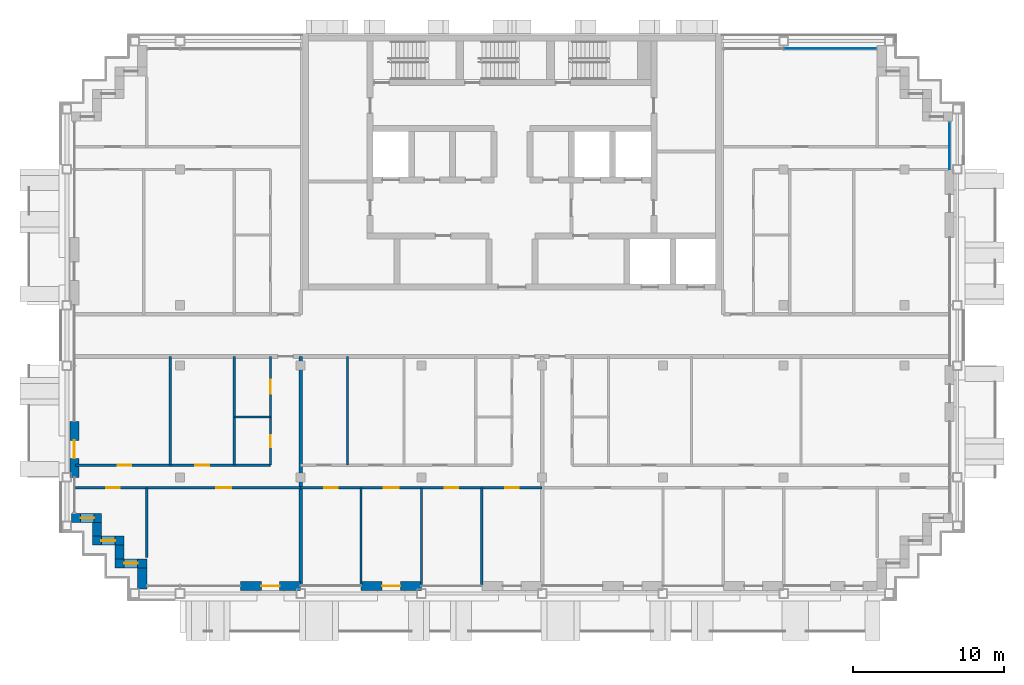
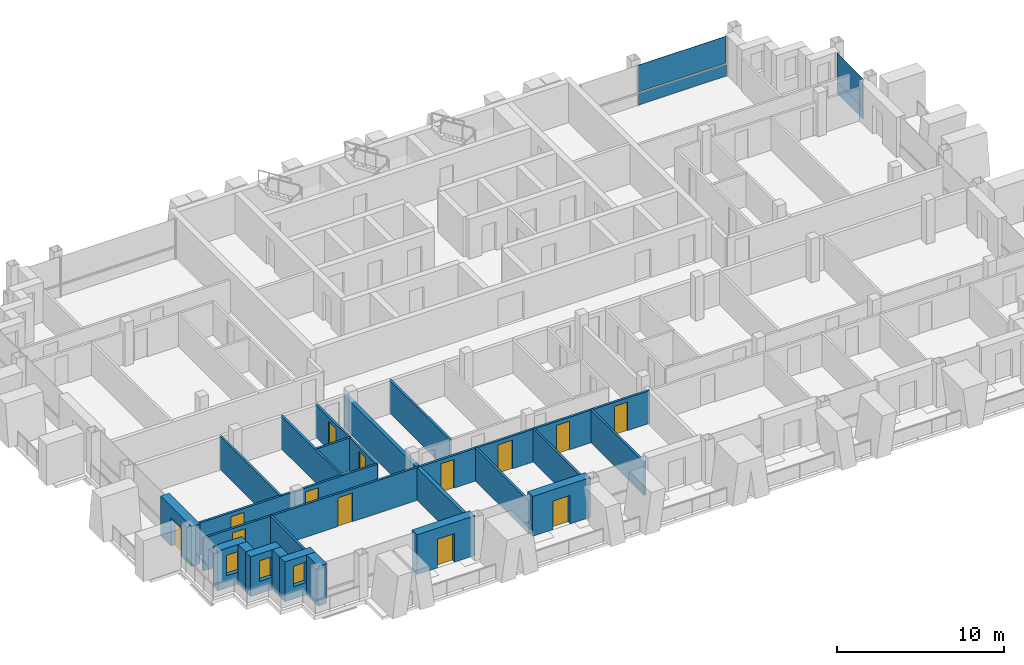
# One storey, part 7 of 15: 22 walls, 13 doors, 4 plates, 3 windows, 16 openings, 2 elements without a shape of their own.
"""IFC4 building model written with IfcOpenShell, lengths in metres."""

from ifc_helpers import new_model, si_unit, direction, frame, frame_2d, origin, origin_2d, place, context, subcontext, project, spatial, rectangle, extrude, material, layer, layer_set, type_object, element, fill, aggregate, save


model = new_model("IFC4")

# Units and contexts
model_context = context("Model", 3, precision=1e-05, world=origin(), true_north=direction((0.0, 1.0)))
body_context = subcontext(model_context, "Body", "Model", "MODEL_VIEW")
ifc_project = project(units=[si_unit("LENGTHUNIT", "METRE"), si_unit("AREAUNIT", "SQUARE_METRE"), si_unit("VOLUMEUNIT", "CUBIC_METRE"), si_unit("PLANEANGLEUNIT", "RADIAN"), si_unit("MASSUNIT", "GRAM", prefix="KILO")], contexts=[model_context])

# Site, building, storey
site_placement = place(None, origin())
site = spatial("IfcSite", under=ifc_project, at=site_placement, CompositionType="ELEMENT")
building_placement = place(site_placement, origin())
building = spatial("IfcBuilding", under=site, at=building_placement, Name="Vidyagriha Tower", CompositionType="ELEMENT")
storey_placement = place(building_placement, frame((0.0, 0.0, 233.199951171875)))
storey = spatial("IfcBuildingStorey", under=building, at=storey_placement, Name="L61", CompositionType="ELEMENT", Elevation=233.199951171875)

# Curtain wall, plate
ifc_material_1 = material(Name="Aluminium and glass curtain wall", Category="aluminium")
curtain_wall_type = type_object("IfcCurtainWallType", Name="Dwelling skin unitised curtain wall", PredefinedType="USERDEFINED", material=ifc_material_1)
curtain_wall_1_placement = place(storey_placement, origin())
curtain_wall_1 = element("IfcCurtainWall", 1, at=curtain_wall_1_placement, inside=storey, type_object=curtain_wall_type, Name="CW1 dwelling skin", ObjectType="UNITISED", PredefinedType="USERDEFINED")
ifc_material_2 = material(Name="Glass dark ceramic-fritted spandrel", Category="glass")
ifc_layer_1 = layer(ifc_material_2, 0.0400390625)
ifc_layer_set_1 = layer_set([ifc_layer_1], Name="Glass dark ceramic-fritted spandrel")
plate_type_1 = type_object("IfcPlateType", Name="Ceramic-fritted spandrel panel", PredefinedType="CURTAIN_PANEL", material=ifc_layer_set_1)
plate_1_placement = place(storey_placement, frame((21.08251953125, 19.0, 0.0), z_axis=(0.0, 0.0, 1.0), x_axis=(-1.0, 0.0, 0.0)))
plate_1 = element("IfcPlate", 2, at=plate_1_placement, type_object=plate_type_1, Name="CW1 panel 1.1", PredefinedType="CURTAIN_PANEL", context=body_context, shape_type="SweptSolid", body=[
    extrude(rectangle(XDim=6.094970703125, YDim=0.0400390625, at=origin_2d()), origin(), (0.0, 0.0, 1.0), 0.85009765625),
])

curtain_wall_2_placement = place(storey_placement, origin())
curtain_wall_2 = element("IfcCurtainWall", 3, at=curtain_wall_2_placement, inside=storey, type_object=curtain_wall_type, Name="CW1 dwelling skin", ObjectType="UNITISED", PredefinedType="USERDEFINED")
plate_2_placement = place(storey_placement, frame((29.0, 12.56494140625, 0.0), z_axis=(0.0, 0.0, 1.0), x_axis=(0.0, 1.0, 0.0)))
plate_2 = element("IfcPlate", 4, at=plate_2_placement, type_object=plate_type_1, Name="CW1 panel 1.1", PredefinedType="CURTAIN_PANEL", context=body_context, shape_type="SweptSolid", body=[
    extrude(rectangle(XDim=3.1298828125, YDim=0.0400390625, at=origin_2d()), origin(), (0.0, 0.0, 1.0), 0.85009765625),
])

# Plate
ifc_material_3 = material(Name="Glass dark ceramic-fritted", Category="glass")
ifc_layer_2 = layer(ifc_material_3, 0.028076171875)
ifc_layer_set_2 = layer_set([ifc_layer_2], Name="Glass dark ceramic-fritted")
plate_type_2 = type_object("IfcPlateType", Name="Dark ceramic-fritted vision glass panel", PredefinedType="CURTAIN_PANEL", material=ifc_layer_set_2)
plate_3_placement = place(storey_placement, frame((21.08251953125, 19.0, 0.9501953125), z_axis=(0.0, 0.0, 1.0), x_axis=(-1.0, 0.0, 0.0)))
plate_3 = element("IfcPlate", 5, at=plate_3_placement, type_object=plate_type_2, Name="CW1 panel 1.2", PredefinedType="CURTAIN_PANEL", context=body_context, shape_type="SweptSolid", body=[
    extrude(rectangle(XDim=6.094970703125, YDim=0.028076171875, at=origin_2d()), origin(), (0.0, 0.0, 1.0), 1.969970703125),
])

aggregate(curtain_wall_1, [plate_1, plate_3])

plate_4_placement = place(storey_placement, frame((29.0, 12.56494140625, 0.9501953125), z_axis=(0.0, 0.0, 1.0), x_axis=(0.0, 1.0, 0.0)))
plate_4 = element("IfcPlate", 6, at=plate_4_placement, type_object=plate_type_2, Name="CW1 panel 1.2", PredefinedType="CURTAIN_PANEL", context=body_context, shape_type="SweptSolid", body=[
    extrude(rectangle(XDim=3.1298828125, YDim=0.028076171875, at=origin_2d()), origin(), (0.0, 0.0, 1.0), 1.969970703125),
])

aggregate(curtain_wall_2, [plate_2, plate_4])

# Wall, opening, door
ifc_material_4 = material(Name="Precast concrete C40/50 with brick facing", Category="concrete")
ifc_layer_3 = layer(ifc_material_4, 0.60009765625)
ifc_layer_set_3 = layer_set([ifc_layer_3], Name="Precast concrete C40/50 with brick facing")
wall_type_1 = type_object("IfcWallType", Name="Brick-faced precast wall 600", PredefinedType="STANDARD", material=ifc_layer_set_3)
wall_1_placement = place(storey_placement, frame((-29.0, -5.699951171875, 0.0), z_axis=(0.0, 0.0, 1.0), x_axis=(0.0, -1.0, 0.0)))
wall_1 = element("IfcWall", 7, at=wall_1_placement, inside=storey, type_object=wall_type_1, Name="Brick door bay wall L61 R16.6", PredefinedType="STANDARD", context=body_context, shape_type="SweptSolid", body=[
    extrude(rectangle(XDim=3.699951171875, YDim=0.60009765625, at=frame_2d((1.85009765625, 0.0))), origin(), (0.0, 0.0, 1.0), 2.920166015625),
])
opening_1_placement = place(wall_1_placement, frame((1.25, 0.0, 0.0)))
opening_1 = element("IfcOpeningElement", 8, at=opening_1_placement, cuts=wall_1, Name="Opening D61-58", PredefinedType="OPENING", context=body_context, shape_type="SweptSolid", body=[
    extrude(rectangle(XDim=1.199951171875, YDim=2.10009765625, at=frame_2d((0.60009765625, 1.050048828125))), frame((0.0, 0.31005859375, 0.0), z_axis=(0.0, -1.0, 0.0), x_axis=(1.0, 0.0, 0.0)), (0.0, 0.0, 1.0), 0.6201171875),
])
ifc_material_5 = material(Name="Aluminium framed glazed sliding door", Category="aluminium")
door_type_1 = type_object("IfcDoorType", Name="Balcony sliding door 1200x2100", OperationType="NOTDEFINED", PredefinedType="DOOR", material=ifc_material_5)
door_1_placement = place(opening_1_placement, origin())
door_1 = element("IfcDoor", 9, at=door_1_placement, inside=storey, type_object=door_type_1, Name="Door D61-58", OperationType="SLIDING_TO_LEFT", OverallHeight=2.10009765625, OverallWidth=1.199951171875, PredefinedType="DOOR", context=body_context, shape_type="SweptSolid", body=[
    extrude(rectangle(XDim=1.199951171875, YDim=2.10009765625, at=frame_2d((0.60009765625, 1.050048828125))), frame((0.0, 0.02490234375, 0.0), z_axis=(0.0, -1.0, 0.0), x_axis=(1.0, 0.0, 0.0)), (0.0, 0.0, 1.0), 0.050048828125),
])
fill(opening_1, door_1)

# Wall, opening, window
wall_2_placement = place(storey_placement, frame((-29.199951171875, -12.10009765625, 0.0)))
wall_2 = element("IfcWall", 10, at=wall_2_placement, inside=storey, type_object=wall_type_1, Name="Stepped corner wall L61 R17", PredefinedType="STANDARD", context=body_context, shape_type="SweptSolid", body=[
    extrude(rectangle(XDim=2.0, YDim=0.60009765625, at=frame_2d((1.0, 0.0))), origin(), (0.0, 0.0, 1.0), 2.920166015625),
])
opening_2_placement = place(wall_2_placement, frame((0.610107421875, 0.0, 0.89990234375)))
opening_2 = element("IfcOpeningElement", 11, at=opening_2_placement, cuts=wall_2, Name="Opening WN1", PredefinedType="OPENING", context=body_context, shape_type="SweptSolid", body=[
    extrude(rectangle(XDim=0.89990234375, YDim=1.5, at=frame_2d((0.449951171875, 0.75))), frame((0.0, 0.31005859375, 0.0), z_axis=(0.0, -1.0, 0.0), x_axis=(1.0, 0.0, 0.0)), (0.0, 0.0, 1.0), 0.6201171875),
])
ifc_material_6 = material(Name="Aluminium and glass window", Category="aluminium")
window_type = type_object("IfcWindowType", Name="Reveal window 900x1500", PartitioningType="NOTDEFINED", PredefinedType="WINDOW", material=ifc_material_6)
window_1_placement = place(opening_2_placement, origin())
window_1 = element("IfcWindow", 12, at=window_1_placement, inside=storey, type_object=window_type, Name="Reveal window L61 R17", OverallHeight=1.5, OverallWidth=0.89990234375, PartitioningType="SINGLE_PANEL", PredefinedType="WINDOW", context=body_context, shape_type="SweptSolid", body=[
    extrude(rectangle(XDim=0.89990234375, YDim=1.5, at=frame_2d((0.449951171875, 0.75))), frame((0.0, 0.030029296875, 0.0), z_axis=(0.0, -1.0, 0.0), x_axis=(1.0, 0.0, 0.0)), (0.0, 0.0, 1.0), 0.06005859375),
])
fill(opening_2, window_1)

# Wall
wall_3_placement = place(storey_placement, frame((-27.5, -12.39990234375, 0.0), z_axis=(0.0, 0.0, 1.0), x_axis=(0.0, -1.0, 0.0)))
element("IfcWall", 13, at=wall_3_placement, inside=storey, type_object=wall_type_1, Name="Stepped corner wall L61 R18", PredefinedType="STANDARD", context=body_context, shape_type="SweptSolid", body=[
    extrude(rectangle(XDim=0.900146484375, YDim=0.60009765625, at=frame_2d((0.4501953125, 0.0))), origin(), (0.0, 0.0, 1.0), 2.920166015625),
])

# Wall, opening, window
wall_4_placement = place(storey_placement, frame((-27.800048828125, -13.60009765625, 0.0)))
wall_4 = element("IfcWall", 14, at=wall_4_placement, inside=storey, type_object=wall_type_1, Name="Stepped corner wall L61 R19", PredefinedType="STANDARD", context=body_context, shape_type="SweptSolid", body=[
    extrude(rectangle(XDim=2.10009765625, YDim=0.60009765625, at=frame_2d((1.050048828125, 0.0))), origin(), (0.0, 0.0, 1.0), 2.920166015625),
])
opening_3_placement = place(wall_4_placement, frame((0.60009765625, 0.0, 0.89990234375)))
opening_3 = element("IfcOpeningElement", 15, at=opening_3_placement, cuts=wall_4, Name="Opening WN1", PredefinedType="OPENING", context=body_context, shape_type="SweptSolid", body=[
    extrude(rectangle(XDim=0.89990234375, YDim=1.5, at=frame_2d((0.449951171875, 0.75))), frame((0.0, 0.31005859375, 0.0), z_axis=(0.0, -1.0, 0.0), x_axis=(1.0, 0.0, 0.0)), (0.0, 0.0, 1.0), 0.6201171875),
])
window_2_placement = place(opening_3_placement, origin())
window_2 = element("IfcWindow", 16, at=window_2_placement, inside=storey, type_object=window_type, Name="Reveal window L61 R19", OverallHeight=1.5, OverallWidth=0.89990234375, PartitioningType="SINGLE_PANEL", PredefinedType="WINDOW", context=body_context, shape_type="SweptSolid", body=[
    extrude(rectangle(XDim=0.89990234375, YDim=1.5, at=frame_2d((0.449951171875, 0.75))), frame((0.0, 0.030029296875, 0.0), z_axis=(0.0, -1.0, 0.0), x_axis=(1.0, 0.0, 0.0)), (0.0, 0.0, 1.0), 0.06005859375),
])
fill(opening_3, window_2)

# Wall
wall_5_placement = place(storey_placement, frame((-26.0, -13.89990234375, 0.0), z_axis=(0.0, 0.0, 1.0), x_axis=(0.0, -1.0, 0.0)))
element("IfcWall", 17, at=wall_5_placement, inside=storey, type_object=wall_type_1, Name="Stepped corner wall L61 R20", PredefinedType="STANDARD", context=body_context, shape_type="SweptSolid", body=[
    extrude(rectangle(XDim=0.900146484375, YDim=0.60009765625, at=frame_2d((0.4501953125, 0.0))), origin(), (0.0, 0.0, 1.0), 2.920166015625),
])

# Wall, opening, window
wall_6_placement = place(storey_placement, frame((-26.300048828125, -15.10009765625, 0.0)))
wall_6 = element("IfcWall", 18, at=wall_6_placement, inside=storey, type_object=wall_type_1, Name="Stepped corner wall L61 R21", PredefinedType="STANDARD", context=body_context, shape_type="SweptSolid", body=[
    extrude(rectangle(XDim=2.10009765625, YDim=0.60009765625, at=frame_2d((1.050048828125, 0.0))), origin(), (0.0, 0.0, 1.0), 2.920166015625),
])
opening_4_placement = place(wall_6_placement, frame((0.60009765625, 0.0, 0.89990234375)))
opening_4 = element("IfcOpeningElement", 19, at=opening_4_placement, cuts=wall_6, Name="Opening WN1", PredefinedType="OPENING", context=body_context, shape_type="SweptSolid", body=[
    extrude(rectangle(XDim=0.89990234375, YDim=1.5, at=frame_2d((0.449951171875, 0.75))), frame((0.0, 0.31005859375, 0.0), z_axis=(0.0, -1.0, 0.0), x_axis=(1.0, 0.0, 0.0)), (0.0, 0.0, 1.0), 0.6201171875),
])
window_3_placement = place(opening_4_placement, origin())
window_3 = element("IfcWindow", 20, at=window_3_placement, inside=storey, type_object=window_type, Name="Reveal window L61 R21", OverallHeight=1.5, OverallWidth=0.89990234375, PartitioningType="SINGLE_PANEL", PredefinedType="WINDOW", context=body_context, shape_type="SweptSolid", body=[
    extrude(rectangle(XDim=0.89990234375, YDim=1.5, at=frame_2d((0.449951171875, 0.75))), frame((0.0, 0.030029296875, 0.0), z_axis=(0.0, -1.0, 0.0), x_axis=(1.0, 0.0, 0.0)), (0.0, 0.0, 1.0), 0.06005859375),
])
fill(opening_4, window_3)

# Wall
wall_7_placement = place(storey_placement, frame((-24.5, -15.39990234375, 0.0), z_axis=(0.0, 0.0, 1.0), x_axis=(0.0, -1.0, 0.0)))
element("IfcWall", 21, at=wall_7_placement, inside=storey, type_object=wall_type_1, Name="Stepped corner wall L61 R22", PredefinedType="STANDARD", context=body_context, shape_type="SweptSolid", body=[
    extrude(rectangle(XDim=1.400146484375, YDim=0.60009765625, at=frame_2d((0.7001953125, 0.0))), origin(), (0.0, 0.0, 1.0), 2.920166015625),
])

# Wall, opening, door
wall_8_placement = place(storey_placement, frame((-18.0, -16.60009765625, 0.0)))
wall_8 = element("IfcWall", 22, at=wall_8_placement, inside=storey, type_object=wall_type_1, Name="Brick door bay wall L61 R23.3", PredefinedType="STANDARD", context=body_context, shape_type="SweptSolid", body=[
    extrude(rectangle(XDim=4.0, YDim=0.60009765625, at=frame_2d((2.0, 0.0))), origin(), (0.0, 0.0, 1.0), 2.920166015625),
])
opening_5_placement = place(wall_8_placement, frame((1.39990234375, 0.0, 0.0)))
opening_5 = element("IfcOpeningElement", 23, at=opening_5_placement, cuts=wall_8, Name="Opening D61-59", PredefinedType="OPENING", context=body_context, shape_type="SweptSolid", body=[
    extrude(rectangle(XDim=1.199951171875, YDim=2.10009765625, at=frame_2d((0.60009765625, 1.050048828125))), frame((0.0, 0.31005859375, 0.0), z_axis=(0.0, -1.0, 0.0), x_axis=(1.0, 0.0, 0.0)), (0.0, 0.0, 1.0), 0.6201171875),
])
door_2_placement = place(opening_5_placement, origin())
door_2 = element("IfcDoor", 24, at=door_2_placement, inside=storey, type_object=door_type_1, Name="Door D61-59", OperationType="SLIDING_TO_LEFT", OverallHeight=2.10009765625, OverallWidth=1.199951171875, PredefinedType="DOOR", context=body_context, shape_type="SweptSolid", body=[
    extrude(rectangle(XDim=1.199951171875, YDim=2.10009765625, at=frame_2d((0.60009765625, 1.050048828125))), frame((0.0, 0.02490234375, 0.0), z_axis=(0.0, -1.0, 0.0), x_axis=(1.0, 0.0, 0.0)), (0.0, 0.0, 1.0), 0.050048828125),
])
fill(opening_5, door_2)

wall_9_placement = place(storey_placement, frame((-10.0, -16.60009765625, 0.0)))
wall_9 = element("IfcWall", 25, at=wall_9_placement, inside=storey, type_object=wall_type_1, Name="Brick door bay wall L61 R23.5", PredefinedType="STANDARD", context=body_context, shape_type="SweptSolid", body=[
    extrude(rectangle(XDim=4.0, YDim=0.60009765625, at=frame_2d((2.0, 0.0))), origin(), (0.0, 0.0, 1.0), 2.920166015625),
])
opening_6_placement = place(wall_9_placement, frame((1.39990234375, 0.0, 0.0)))
opening_6 = element("IfcOpeningElement", 26, at=opening_6_placement, cuts=wall_9, Name="Opening D61-60", PredefinedType="OPENING", context=body_context, shape_type="SweptSolid", body=[
    extrude(rectangle(XDim=1.199951171875, YDim=2.10009765625, at=frame_2d((0.60009765625, 1.050048828125))), frame((0.0, 0.31005859375, 0.0), z_axis=(0.0, -1.0, 0.0), x_axis=(1.0, 0.0, 0.0)), (0.0, 0.0, 1.0), 0.6201171875),
])
door_3_placement = place(opening_6_placement, origin())
door_3 = element("IfcDoor", 27, at=door_3_placement, inside=storey, type_object=door_type_1, Name="Door D61-60", OperationType="SLIDING_TO_LEFT", OverallHeight=2.10009765625, OverallWidth=1.199951171875, PredefinedType="DOOR", context=body_context, shape_type="SweptSolid", body=[
    extrude(rectangle(XDim=1.199951171875, YDim=2.10009765625, at=frame_2d((0.60009765625, 1.050048828125))), frame((0.0, 0.02490234375, 0.0), z_axis=(0.0, -1.0, 0.0), x_axis=(1.0, 0.0, 0.0)), (0.0, 0.0, 1.0), 0.050048828125),
])
fill(opening_6, door_3)

# Walls
ifc_material_7 = material(Name="Fired clay brick masonry", Category="masonry")
ifc_layer_4 = layer(ifc_material_7, 0.25)
ifc_layer_set_4 = layer_set([ifc_layer_4], Name="Fired clay brick masonry")
wall_type_2 = type_object("IfcWallType", Name="Fired clay brick demising wall 250", PredefinedType="PARTITIONING", material=ifc_layer_set_4)
wall_10_placement = place(storey_placement, frame((-14.0, -1.39990234375, 0.0), z_axis=(0.0, 0.0, 1.0), x_axis=(0.0, -1.0, 0.0)))
element("IfcWall", 28, at=wall_10_placement, inside=storey, type_object=wall_type_2, Name="Wall all-L61-w035", PredefinedType="PARTITIONING", context=body_context, shape_type="SweptSolid", body=[
    extrude(rectangle(XDim=15.110107421875, YDim=0.25, at=frame_2d((7.55517578125, 0.0))), origin(), (0.0, 0.0, 1.0), 2.400146484375),
])
ifc_material_8 = material(Name="Gypsum board partition")
ifc_layer_5 = layer(ifc_material_8, 0.14990234375)
ifc_layer_set_5 = layer_set([ifc_layer_5], Name="Gypsum board partition")
wall_type_3 = type_object("IfcWallType", Name="Gypsum board partition 150", PredefinedType="PARTITIONING", material=ifc_layer_set_5)
wall_11_placement = place(storey_placement, frame((-16.0, -5.39990234375, 0.0), z_axis=(0.0, 0.0, 1.0), x_axis=(-1.0, 0.0, 0.0)))
element("IfcWall", 29, at=wall_11_placement, inside=storey, type_object=wall_type_3, Name="Wall all-L61-w004", PredefinedType="PARTITIONING", context=body_context, shape_type="SweptSolid", body=[
    extrude(rectangle(XDim=2.39990234375, YDim=0.14990234375, at=frame_2d((1.199951171875, 0.0))), origin(), (0.0, 0.0, 1.0), 2.400146484375),
])
for number, where, z_axis, x_axis, name in (
    (30, (-18.39990234375, -8.60009765625, 0.0), (0.0, 0.0, 1.0), (0.0, 1.0, 0.0), "Wall all-L61-w005"),
    (31, (-22.64990234375, -8.60009765625, 0.0), (0.0, 0.0, 1.0), (0.0, 1.0, 0.0), "Wall all-L61-w006"),
):
    element("IfcWall", number, at=place(storey_placement, frame(where, z_axis=z_axis, x_axis=x_axis)), inside=storey, type_object=wall_type_3, Name=name, PredefinedType="PARTITIONING", context=body_context, shape_type="SweptSolid", body=[
        extrude(rectangle(XDim=7.2001953125, YDim=0.14990234375, at=frame_2d((3.60009765625, 0.0))), origin(), (0.0, 0.0, 1.0), 2.400146484375),
    ])

# Wall, openings, doors
wall_12_placement = place(storey_placement, frame((-28.909912109375, -8.60009765625, 0.0)))
wall_12 = element("IfcWall", 32, at=wall_12_placement, inside=storey, type_object=wall_type_3, Name="Wall all-L61-w007", PredefinedType="PARTITIONING", context=body_context, shape_type="SweptSolid", body=[
    extrude(rectangle(XDim=12.909912109375, YDim=0.14990234375, at=frame_2d((6.455078125, 0.0))), origin(), (0.0, 0.0, 1.0), 2.400146484375),
])
opening_7_placement = place(wall_12_placement, frame((7.93505859375, 0.0, 0.0)))
opening_7 = element("IfcOpeningElement", 33, at=opening_7_placement, cuts=wall_12, Name="Opening D61-17", PredefinedType="OPENING", context=body_context, shape_type="SweptSolid", body=[
    extrude(rectangle(XDim=0.89990234375, YDim=2.10009765625, at=frame_2d((0.449951171875, 1.050048828125))), frame((0.0, 0.0849609375, 0.0), z_axis=(0.0, -1.0, 0.0), x_axis=(1.0, 0.0, 0.0)), (0.0, 0.0, 1.0), 0.169921875),
])
opening_8_placement = place(wall_12_placement, frame((2.784912109375, 0.0, 0.0)))
opening_8 = element("IfcOpeningElement", 34, at=opening_8_placement, cuts=wall_12, Name="Opening D61-18", PredefinedType="OPENING", context=body_context, shape_type="SweptSolid", body=[
    extrude(rectangle(XDim=0.89990234375, YDim=2.10009765625, at=frame_2d((0.449951171875, 1.050048828125))), frame((0.0, 0.0849609375, 0.0), z_axis=(0.0, -1.0, 0.0), x_axis=(1.0, 0.0, 0.0)), (0.0, 0.0, 1.0), 0.169921875),
])
ifc_material_9 = material(Name="Timber door leaf", Category="wood")
door_type_2 = type_object("IfcDoorType", Name="Room door 900x2100", OperationType="NOTDEFINED", PredefinedType="DOOR", material=ifc_material_9)
door_4_placement = place(opening_7_placement, origin())
door_4 = element("IfcDoor", 35, at=door_4_placement, inside=storey, type_object=door_type_2, Name="Door D61-17", OperationType="SINGLE_SWING_RIGHT", OverallHeight=2.10009765625, OverallWidth=0.89990234375, PredefinedType="DOOR", context=body_context, shape_type="SweptSolid", body=[
    extrude(rectangle(XDim=0.89990234375, YDim=2.10009765625, at=frame_2d((0.449951171875, 1.050048828125))), frame((0.0, 0.02490234375, 0.0), z_axis=(0.0, -1.0, 0.0), x_axis=(1.0, 0.0, 0.0)), (0.0, 0.0, 1.0), 0.050048828125),
])
fill(opening_7, door_4)
door_5_placement = place(opening_8_placement, origin())
door_5 = element("IfcDoor", 36, at=door_5_placement, inside=storey, type_object=door_type_2, Name="Door D61-18", OperationType="SINGLE_SWING_LEFT", OverallHeight=2.10009765625, OverallWidth=0.89990234375, PredefinedType="DOOR", context=body_context, shape_type="SweptSolid", body=[
    extrude(rectangle(XDim=0.89990234375, YDim=2.10009765625, at=frame_2d((0.449951171875, 1.050048828125))), frame((0.0, 0.02490234375, 0.0), z_axis=(0.0, -1.0, 0.0), x_axis=(1.0, 0.0, 0.0)), (0.0, 0.0, 1.0), 0.050048828125),
])
fill(opening_8, door_5)

wall_13_placement = place(storey_placement, frame((-14.0, -10.10009765625, 0.0), z_axis=(0.0, 0.0, 1.0), x_axis=(-1.0, 0.0, 0.0)))
wall_13 = element("IfcWall", 37, at=wall_13_placement, inside=storey, type_object=wall_type_3, Name="Wall all-L61-w010", PredefinedType="PARTITIONING", context=body_context, shape_type="SweptSolid", body=[
    extrude(rectangle(XDim=14.919921875, YDim=0.14990234375, at=frame_2d((7.4599609375, 0.0))), origin(), (0.0, 0.0, 1.0), 2.400146484375),
])
opening_9_placement = place(wall_13_placement, frame((12.0, 0.0, 0.0)))
opening_9 = element("IfcOpeningElement", 38, at=opening_9_placement, cuts=wall_13, Name="Opening D61-19", PredefinedType="OPENING", context=body_context, shape_type="SweptSolid", body=[
    extrude(rectangle(XDim=0.89990234375, YDim=2.10009765625, at=frame_2d((0.449951171875, 1.050048828125))), frame((0.0, 0.0849609375, 0.0), z_axis=(0.0, -1.0, 0.0), x_axis=(1.0, 0.0, 0.0)), (0.0, 0.0, 1.0), 0.169921875),
])
opening_10_placement = place(wall_13_placement, frame((4.60009765625, 0.0, 0.0)))
opening_10 = element("IfcOpeningElement", 39, at=opening_10_placement, cuts=wall_13, Name="Opening D61-20", PredefinedType="OPENING", context=body_context, shape_type="SweptSolid", body=[
    extrude(rectangle(XDim=1.0, YDim=2.10009765625, at=frame_2d((0.5, 1.050048828125))), frame((0.0, 0.0849609375, 0.0), z_axis=(0.0, -1.0, 0.0), x_axis=(1.0, 0.0, 0.0)), (0.0, 0.0, 1.0), 0.169921875),
])
ifc_material_10 = material(Name="Timber door leaf", Category="wood")
door_type_3 = type_object("IfcDoorType", Name="Room door 1000x2100", OperationType="NOTDEFINED", PredefinedType="DOOR", material=ifc_material_10)
door_6_placement = place(opening_10_placement, origin())
door_6 = element("IfcDoor", 40, at=door_6_placement, inside=storey, type_object=door_type_3, Name="Door D61-20", OperationType="SINGLE_SWING_RIGHT", OverallHeight=2.10009765625, OverallWidth=1.0, PredefinedType="DOOR", context=body_context, shape_type="SweptSolid", body=[
    extrude(rectangle(XDim=1.0, YDim=2.10009765625, at=frame_2d((0.5, 1.050048828125))), frame((0.0, 0.02490234375, 0.0), z_axis=(0.0, -1.0, 0.0), x_axis=(1.0, 0.0, 0.0)), (0.0, 0.0, 1.0), 0.050048828125),
])
fill(opening_10, door_6)
door_7_placement = place(opening_9_placement, origin())
door_7 = element("IfcDoor", 41, at=door_7_placement, inside=storey, type_object=door_type_2, Name="Door D61-19", OperationType="SINGLE_SWING_RIGHT", OverallHeight=2.10009765625, OverallWidth=0.89990234375, PredefinedType="DOOR", context=body_context, shape_type="SweptSolid", body=[
    extrude(rectangle(XDim=0.89990234375, YDim=2.10009765625, at=frame_2d((0.449951171875, 1.050048828125))), frame((0.0, 0.02490234375, 0.0), z_axis=(0.0, -1.0, 0.0), x_axis=(1.0, 0.0, 0.0)), (0.0, 0.0, 1.0), 0.050048828125),
])
fill(opening_9, door_7)

# Walls
wall_14_placement = place(storey_placement, frame((-24.199951171875, -10.10009765625, 0.0), z_axis=(0.0, 0.0, 1.0), x_axis=(0.0, -1.0, 0.0)))
element("IfcWall", 42, at=wall_14_placement, inside=storey, type_object=wall_type_3, Name="Wall all-L61-w013", PredefinedType="PARTITIONING", context=body_context, shape_type="SweptSolid", body=[
    extrude(rectangle(XDim=4.619873046875, YDim=0.14990234375, at=frame_2d((2.31005859375, 0.0))), origin(), (0.0, 0.0, 1.0), 2.400146484375),
])
wall_15_placement = place(storey_placement, frame((-10.89990234375, -8.60009765625, 0.0), z_axis=(0.0, 0.0, 1.0), x_axis=(0.0, 1.0, 0.0)))
element("IfcWall", 43, at=wall_15_placement, inside=storey, type_object=wall_type_3, Name="Wall all-L61-w021", PredefinedType="PARTITIONING", context=body_context, shape_type="SweptSolid", body=[
    extrude(rectangle(XDim=7.2001953125, YDim=0.14990234375, at=frame_2d((3.60009765625, 0.0))), origin(), (0.0, 0.0, 1.0), 2.400146484375),
])

# Wall, openings, doors
wall_16_placement = place(storey_placement, frame((2.0, -10.10009765625, 0.0), z_axis=(0.0, 0.0, 1.0), x_axis=(-1.0, 0.0, 0.0)))
wall_16 = element("IfcWall", 44, at=wall_16_placement, inside=storey, type_object=wall_type_3, Name="Wall all-L61-w026", PredefinedType="PARTITIONING", context=body_context, shape_type="SweptSolid", body=[
    extrude(rectangle(XDim=16.0, YDim=0.14990234375, at=frame_2d((8.0, 0.0))), origin(), (0.0, 0.0, 1.0), 2.400146484375),
])
opening_11_placement = place(wall_16_placement, frame((13.550048828125, 0.0, 0.0)))
opening_11 = element("IfcOpeningElement", 45, at=opening_11_placement, cuts=wall_16, Name="Opening D61-27", PredefinedType="OPENING", context=body_context, shape_type="SweptSolid", body=[
    extrude(rectangle(XDim=0.89990234375, YDim=2.10009765625, at=frame_2d((0.449951171875, 1.050048828125))), frame((0.0, 0.0849609375, 0.0), z_axis=(0.0, -1.0, 0.0), x_axis=(1.0, 0.0, 0.0)), (0.0, 0.0, 1.0), 0.169921875),
])
opening_12_placement = place(wall_16_placement, frame((9.5, 0.0, 0.0)))
opening_12 = element("IfcOpeningElement", 46, at=opening_12_placement, cuts=wall_16, Name="Opening D61-28", PredefinedType="OPENING", context=body_context, shape_type="SweptSolid", body=[
    extrude(rectangle(XDim=1.0, YDim=2.10009765625, at=frame_2d((0.5, 1.050048828125))), frame((0.0, 0.0849609375, 0.0), z_axis=(0.0, -1.0, 0.0), x_axis=(1.0, 0.0, 0.0)), (0.0, 0.0, 1.0), 0.169921875),
])
opening_13_placement = place(wall_16_placement, frame((5.550048828125, 0.0, 0.0)))
opening_13 = element("IfcOpeningElement", 47, at=opening_13_placement, cuts=wall_16, Name="Opening D61-29", PredefinedType="OPENING", context=body_context, shape_type="SweptSolid", body=[
    extrude(rectangle(XDim=0.89990234375, YDim=2.10009765625, at=frame_2d((0.449951171875, 1.050048828125))), frame((0.0, 0.0849609375, 0.0), z_axis=(0.0, -1.0, 0.0), x_axis=(1.0, 0.0, 0.0)), (0.0, 0.0, 1.0), 0.169921875),
])
opening_14_placement = place(wall_16_placement, frame((1.550048828125, 0.0, 0.0)))
opening_14 = element("IfcOpeningElement", 48, at=opening_14_placement, cuts=wall_16, Name="Opening D61-30", PredefinedType="OPENING", context=body_context, shape_type="SweptSolid", body=[
    extrude(rectangle(XDim=0.89990234375, YDim=2.10009765625, at=frame_2d((0.449951171875, 1.050048828125))), frame((0.0, 0.0849609375, 0.0), z_axis=(0.0, -1.0, 0.0), x_axis=(1.0, 0.0, 0.0)), (0.0, 0.0, 1.0), 0.169921875),
])
door_8_placement = place(opening_12_placement, origin())
door_8 = element("IfcDoor", 49, at=door_8_placement, inside=storey, type_object=door_type_3, Name="Door D61-28", OperationType="SINGLE_SWING_RIGHT", OverallHeight=2.10009765625, OverallWidth=1.0, PredefinedType="DOOR", context=body_context, shape_type="SweptSolid", body=[
    extrude(rectangle(XDim=1.0, YDim=2.10009765625, at=frame_2d((0.5, 1.050048828125))), frame((0.0, 0.02490234375, 0.0), z_axis=(0.0, -1.0, 0.0), x_axis=(1.0, 0.0, 0.0)), (0.0, 0.0, 1.0), 0.050048828125),
])
fill(opening_12, door_8)
door_9_placement = place(opening_11_placement, origin())
door_9 = element("IfcDoor", 50, at=door_9_placement, inside=storey, type_object=door_type_2, Name="Door D61-27", OperationType="SINGLE_SWING_RIGHT", OverallHeight=2.10009765625, OverallWidth=0.89990234375, PredefinedType="DOOR", context=body_context, shape_type="SweptSolid", body=[
    extrude(rectangle(XDim=0.89990234375, YDim=2.10009765625, at=frame_2d((0.449951171875, 1.050048828125))), frame((0.0, 0.02490234375, 0.0), z_axis=(0.0, -1.0, 0.0), x_axis=(1.0, 0.0, 0.0)), (0.0, 0.0, 1.0), 0.050048828125),
])
fill(opening_11, door_9)
door_10_placement = place(opening_13_placement, origin())
door_10 = element("IfcDoor", 51, at=door_10_placement, inside=storey, type_object=door_type_2, Name="Door D61-29", OperationType="SINGLE_SWING_RIGHT", OverallHeight=2.10009765625, OverallWidth=0.89990234375, PredefinedType="DOOR", context=body_context, shape_type="SweptSolid", body=[
    extrude(rectangle(XDim=0.89990234375, YDim=2.10009765625, at=frame_2d((0.449951171875, 1.050048828125))), frame((0.0, 0.02490234375, 0.0), z_axis=(0.0, -1.0, 0.0), x_axis=(1.0, 0.0, 0.0)), (0.0, 0.0, 1.0), 0.050048828125),
])
fill(opening_13, door_10)
door_11_placement = place(opening_14_placement, origin())
door_11 = element("IfcDoor", 52, at=door_11_placement, inside=storey, type_object=door_type_2, Name="Door D61-30", OperationType="SINGLE_SWING_RIGHT", OverallHeight=2.10009765625, OverallWidth=0.89990234375, PredefinedType="DOOR", context=body_context, shape_type="SweptSolid", body=[
    extrude(rectangle(XDim=0.89990234375, YDim=2.10009765625, at=frame_2d((0.449951171875, 1.050048828125))), frame((0.0, 0.02490234375, 0.0), z_axis=(0.0, -1.0, 0.0), x_axis=(1.0, 0.0, 0.0)), (0.0, 0.0, 1.0), 0.050048828125),
])
fill(opening_14, door_11)

# Walls
wall_17_placement = place(storey_placement, frame((-10.0, -10.10009765625, 0.0), z_axis=(0.0, 0.0, 1.0), x_axis=(0.0, -1.0, 0.0)))
element("IfcWall", 53, at=wall_17_placement, inside=storey, type_object=wall_type_3, Name="Wall all-L61-w031", PredefinedType="PARTITIONING", context=body_context, shape_type="SweptSolid", body=[
    extrude(rectangle(XDim=6.4208984375, YDim=0.14990234375, at=frame_2d((3.21044921875, 0.0))), origin(), (0.0, 0.0, 1.0), 2.400146484375),
])
wall_18_placement = place(storey_placement, frame((-6.0, -10.10009765625, 0.0), z_axis=(0.0, 0.0, 1.0), x_axis=(0.0, -1.0, 0.0)))
element("IfcWall", 54, at=wall_18_placement, inside=storey, type_object=wall_type_3, Name="Wall all-L61-w032", PredefinedType="PARTITIONING", context=body_context, shape_type="SweptSolid", body=[
    extrude(rectangle(XDim=6.409912109375, YDim=0.14990234375, at=frame_2d((3.205078125, 0.0))), origin(), (0.0, 0.0, 1.0), 2.400146484375),
])
wall_19_placement = place(storey_placement, frame((-2.0, -10.10009765625, 0.0), z_axis=(0.0, 0.0, 1.0), x_axis=(0.0, -1.0, 0.0)))
element("IfcWall", 55, at=wall_19_placement, inside=storey, type_object=wall_type_3, Name="Wall all-L61-w033", PredefinedType="PARTITIONING", context=body_context, shape_type="SweptSolid", body=[
    extrude(rectangle(XDim=6.4208984375, YDim=0.14990234375, at=frame_2d((3.21044921875, 0.0))), origin(), (0.0, 0.0, 1.0), 2.400146484375),
])

# Wall, openings, doors
ifc_material_11 = material(Name="Moisture resistant gypsum board partition")
ifc_layer_6 = layer(ifc_material_11, 0.14990234375)
ifc_layer_set_6 = layer_set([ifc_layer_6], Name="Moisture resistant gypsum board partition")
wall_type_4 = type_object("IfcWallType", Name="Gypsum board wet-area partition 150", PredefinedType="PARTITIONING", material=ifc_layer_set_6)
wall_20_placement = place(storey_placement, frame((-16.0, -8.60009765625, 0.0), z_axis=(0.0, 0.0, 1.0), x_axis=(0.0, 1.0, 0.0)))
wall_20 = element("IfcWall", 56, at=wall_20_placement, inside=storey, type_object=wall_type_4, Name="Wall all-L61-w001", PredefinedType="PARTITIONING", context=body_context, shape_type="SweptSolid", body=[
    extrude(rectangle(XDim=7.2001953125, YDim=0.14990234375, at=frame_2d((3.60009765625, 0.0))), origin(), (0.0, 0.0, 1.0), 2.400146484375),
])
opening_15_placement = place(wall_20_placement, frame((4.75, 0.0, 0.0)))
opening_15 = element("IfcOpeningElement", 57, at=opening_15_placement, cuts=wall_20, Name="Opening D61-15", PredefinedType="OPENING", context=body_context, shape_type="SweptSolid", body=[
    extrude(rectangle(XDim=0.89990234375, YDim=2.10009765625, at=frame_2d((0.449951171875, 1.050048828125))), frame((0.0, 0.0849609375, 0.0), z_axis=(0.0, -1.0, 0.0), x_axis=(1.0, 0.0, 0.0)), (0.0, 0.0, 1.0), 0.169921875),
])
opening_16_placement = place(wall_20_placement, frame((1.199951171875, 0.0, 0.0)))
opening_16 = element("IfcOpeningElement", 58, at=opening_16_placement, cuts=wall_20, Name="Opening D61-16", PredefinedType="OPENING", context=body_context, shape_type="SweptSolid", body=[
    extrude(rectangle(XDim=0.800048828125, YDim=2.10009765625, at=frame_2d((0.39990234375, 1.050048828125))), frame((0.0, 0.0849609375, 0.0), z_axis=(0.0, -1.0, 0.0), x_axis=(1.0, 0.0, 0.0)), (0.0, 0.0, 1.0), 0.169921875),
])
ifc_material_12 = material(Name="Timber door leaf", Category="wood")
door_type_4 = type_object("IfcDoorType", Name="Bathroom door 800x2100", OperationType="NOTDEFINED", PredefinedType="DOOR", material=ifc_material_12)
door_12_placement = place(opening_16_placement, origin())
door_12 = element("IfcDoor", 59, at=door_12_placement, inside=storey, type_object=door_type_4, Name="Door D61-16", OperationType="SINGLE_SWING_RIGHT", OverallHeight=2.10009765625, OverallWidth=0.800048828125, PredefinedType="DOOR", context=body_context, shape_type="SweptSolid", body=[
    extrude(rectangle(XDim=0.800048828125, YDim=2.10009765625, at=frame_2d((0.39990234375, 1.050048828125))), frame((0.0, 0.02490234375, 0.0), z_axis=(0.0, -1.0, 0.0), x_axis=(1.0, 0.0, 0.0)), (0.0, 0.0, 1.0), 0.050048828125),
])
fill(opening_16, door_12)
ifc_material_13 = material(Name="Timber door leaf", Category="wood")
door_type_5 = type_object("IfcDoorType", Name="Kitchen door 900x2100", OperationType="NOTDEFINED", PredefinedType="DOOR", material=ifc_material_13)
door_13_placement = place(opening_15_placement, origin())
door_13 = element("IfcDoor", 60, at=door_13_placement, inside=storey, type_object=door_type_5, Name="Door D61-15", OperationType="SINGLE_SWING_LEFT", OverallHeight=2.10009765625, OverallWidth=0.89990234375, PredefinedType="DOOR", context=body_context, shape_type="SweptSolid", body=[
    extrude(rectangle(XDim=0.89990234375, YDim=2.10009765625, at=frame_2d((0.449951171875, 1.050048828125))), frame((0.0, 0.02490234375, 0.0), z_axis=(0.0, -1.0, 0.0), x_axis=(1.0, 0.0, 0.0)), (0.0, 0.0, 1.0), 0.050048828125),
])
fill(opening_15, door_13)

save(model, "model.ifc")
